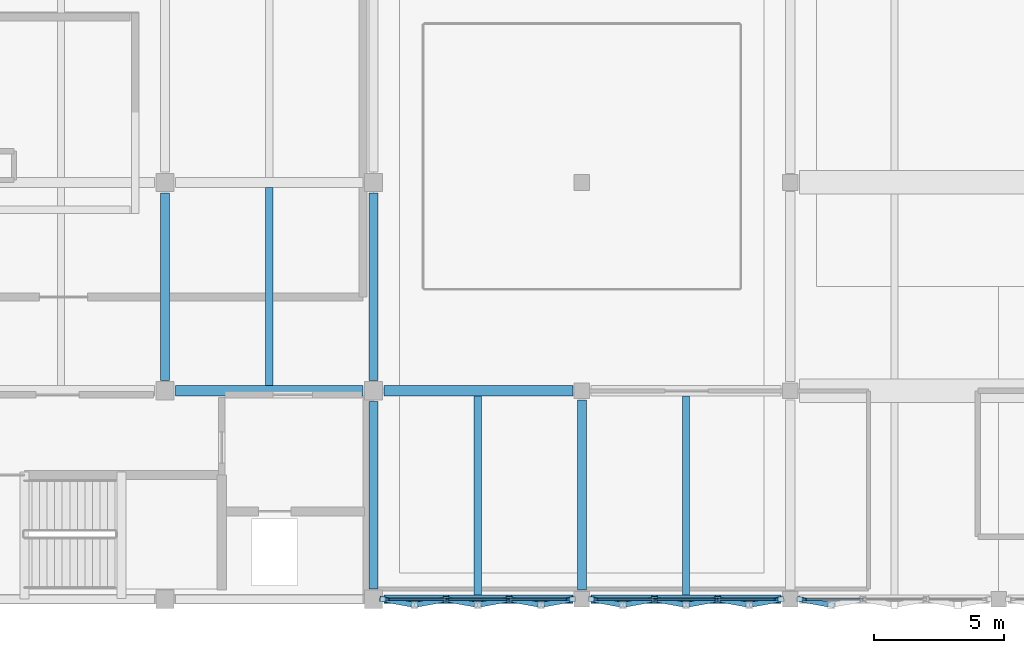
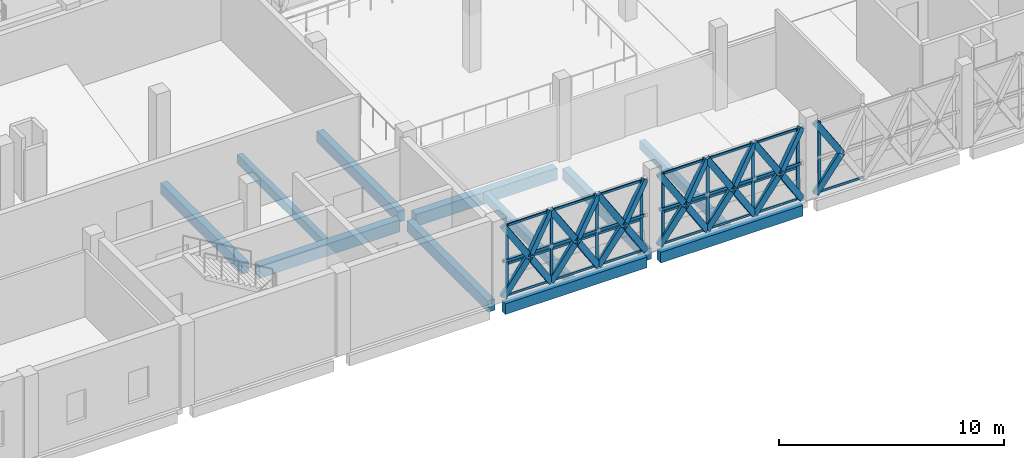
# One storey, part 10 of 43: 60 members, 11 beams, 3 elements without a shape of their own.
"""IFC4 building model written with IfcOpenShell, lengths in metres."""

from ifc_helpers import new_model, si_unit, direction, frame, origin, origin_2d, place, context, subcontext, project, spatial, rectangle, hollow_rectangle, extrude, material, layer, layer_set, material_profile, profile_set, type_object, element, aggregate, save


model = new_model("IFC4")

# Units and contexts
model_context = context("Model", 3, precision=1e-05, world=origin(), true_north=direction((0.0, 1.0)))
body_context = subcontext(model_context, "Body", "Model", "MODEL_VIEW")
ifc_project = project(units=[si_unit("LENGTHUNIT", "METRE"), si_unit("AREAUNIT", "SQUARE_METRE"), si_unit("VOLUMEUNIT", "CUBIC_METRE"), si_unit("PLANEANGLEUNIT", "RADIAN"), si_unit("MASSUNIT", "GRAM", prefix="KILO")], contexts=[model_context])

# Site, building, storey
site_placement = place(None, origin())
site = spatial("IfcSite", under=ifc_project, at=site_placement, CompositionType="ELEMENT")
building_placement = place(site_placement, origin())
building = spatial("IfcBuilding", under=site, at=building_placement, Name="Qorikala Patio Media Centre", CompositionType="ELEMENT")
storey_placement = place(building_placement, frame((0.0, 0.0, 18.89990234375)))
storey = spatial("IfcBuildingStorey", under=building, at=storey_placement, Name="L04", CompositionType="ELEMENT", Elevation=18.89990234375)

# Beams
ifc_material_1 = material(Name="Concrete C35/45", Category="concrete")
ifc_material_profile_1 = material_profile(ifc_material_1, rectangle(XDim=0.35009765625, YDim=0.60009765625, at=origin_2d()), Name="RC 350x600")
ifc_profile_set_1 = profile_set([ifc_material_profile_1], Name="Concrete C35/45")
beam_type_1 = type_object("IfcBeamType", Name="BM-G350X600", PredefinedType="BEAM", material=ifc_profile_set_1)
for number, where, z_axis, x_axis, name in (
    (1, (35.0, 11.39990234375, -0.599853515625), (0.0, 1.0, 0.0), (-1.0, 0.0, 0.0), "L04 Grid X=35 Beam 1417"),
    (2, (43.0, 3.39990234375, -0.599853515625), (0.0, 1.0, 0.0), (-1.0, 0.0, 0.0), "L04 Grid X=43 Beam 1424"),
    (3, (43.0, 11.39990234375, -0.599853515625), (0.0, 1.0, 0.0), (-1.0, 0.0, 0.0), "L04 Grid X=43 Beam 1425"),
):
    element("IfcBeam", number, at=place(storey_placement, frame(where, z_axis=z_axis, x_axis=x_axis)), inside=storey, type_object=beam_type_1, Name=name, PredefinedType="BEAM", context=body_context, shape_type="SweptSolid", body=[
        extrude(rectangle(XDim=0.35009765625, YDim=0.60009765625, at=origin_2d()), origin(), (0.0, 0.0, 1.0), 7.2001953125),
    ])
beam_1_placement = place(storey_placement, frame((51.0, 3.35009765625, -0.599853515625), z_axis=(0.0, 1.0, 0.0), x_axis=(-1.0, 0.0, 0.0)))
element("IfcBeam", 4, at=beam_1_placement, inside=storey, type_object=beam_type_1, Name="L04 Grid X=51 Beam 1428", PredefinedType="BEAM", context=body_context, shape_type="SweptSolid", body=[
    extrude(rectangle(XDim=0.35009765625, YDim=0.60009765625, at=origin_2d()), origin(), (0.0, 0.0, 1.0), 7.2998046875),
])
ifc_material_profile_2 = material_profile(ifc_material_1, rectangle(XDim=0.39990234375, YDim=0.64990234375, at=origin_2d()), Name="RC 400x650")
ifc_profile_set_2 = profile_set([ifc_material_profile_2], Name="Concrete C35/45")
beam_type_2 = type_object("IfcBeamType", Name="BM-G400X650", PredefinedType="BEAM", material=ifc_profile_set_2)
beam_2_placement = place(storey_placement, frame((35.39990234375, 11.0, -0.625), z_axis=(1.0, 0.0, 0.0), x_axis=(0.0, 1.0, 0.0)))
element("IfcBeam", 5, at=beam_2_placement, inside=storey, type_object=beam_type_2, Name="L04 Grid 11 Beam 1334", PredefinedType="BEAM", context=body_context, shape_type="SweptSolid", body=[
    extrude(rectangle(XDim=0.39990234375, YDim=0.64990234375, at=origin_2d()), origin(), (0.0, 0.0, 1.0), 7.2001953125),
])
beam_3_placement = place(storey_placement, frame((43.39990234375, 11.0, -0.625), z_axis=(1.0, 0.0, 0.0), x_axis=(0.0, 1.0, 0.0)))
element("IfcBeam", 6, at=beam_3_placement, inside=storey, type_object=beam_type_2, Name="L04 Grid 11 Beam 1335", PredefinedType="BEAM", context=body_context, shape_type="SweptSolid", body=[
    extrude(rectangle(XDim=0.39990234375, YDim=0.64990234375, at=origin_2d()), origin(), (0.0, 0.0, 1.0), 7.25),
])

# Members
ifc_material_2 = material(Name="Golden Bronze Coated Steel S355", Category="steel")
ifc_material_profile_3 = material_profile(ifc_material_2, hollow_rectangle(XDim=0.139892578125, YDim=0.139892578125, WallThickness=0.006103515625, at=origin_2d()), Name="HSS140X140X6")
ifc_profile_set_3 = profile_set([ifc_material_profile_3], Name="Golden Bronze Coated Steel S355")
member_type_1 = type_object("IfcMemberType", Name="BRACE-DIA140", PredefinedType="BRACE", material=ifc_profile_set_3)
member_1_placement = place(storey_placement, frame((58.639892578125, 3.0, 1.925048828125), z_axis=(-1.0, 0.0, 0.0), x_axis=(0.0, -1.0, 0.0)))
element("IfcMember", 7, at=member_1_placement, inside=storey, type_object=member_type_1, Name="L04 Diamond Fold Tie 136", PredefinedType="BRACE", context=body_context, shape_type="SweptSolid", body=[
    extrude(hollow_rectangle(XDim=0.139892578125, YDim=0.139892578125, WallThickness=0.006103515625, at=origin_2d()), origin(), (0.0, 0.0, 1.0), 2.426513671875),
])
member_2_placement = place(storey_placement, frame((56.21337890625, 3.0, 1.925048828125), z_axis=(-1.0, 0.0, 0.0), x_axis=(0.0, -1.0, 0.0)))
element("IfcMember", 8, at=member_2_placement, inside=storey, type_object=member_type_1, Name="L04 Diamond Fold Tie 137", PredefinedType="BRACE", context=body_context, shape_type="SweptSolid", body=[
    extrude(hollow_rectangle(XDim=0.139892578125, YDim=0.139892578125, WallThickness=0.006103515625, at=origin_2d()), origin(), (0.0, 0.0, 1.0), 2.4267578125),
])
for number, where, z_axis, x_axis, name in (
    (9, (53.78662109375, 3.0, 1.925048828125), (-1.0, 0.0, 0.0), (0.0, -1.0, 0.0), "L04 Diamond Fold Tie 138"),
    (10, (50.639892578125, 3.0, 1.925048828125), (-1.0, 0.0, 0.0), (0.0, -1.0, 0.0), "L04 Diamond Fold Tie 139"),
):
    element("IfcMember", number, at=place(storey_placement, frame(where, z_axis=z_axis, x_axis=x_axis)), inside=storey, type_object=member_type_1, Name=name, PredefinedType="BRACE", context=body_context, shape_type="SweptSolid", body=[
        extrude(hollow_rectangle(XDim=0.139892578125, YDim=0.139892578125, WallThickness=0.006103515625, at=origin_2d()), origin(), (0.0, 0.0, 1.0), 2.426513671875),
    ])
member_3_placement = place(storey_placement, frame((48.21337890625, 3.0, 1.925048828125), z_axis=(-1.0, 0.0, 0.0), x_axis=(0.0, -1.0, 0.0)))
element("IfcMember", 11, at=member_3_placement, inside=storey, type_object=member_type_1, Name="L04 Diamond Fold Tie 140", PredefinedType="BRACE", context=body_context, shape_type="SweptSolid", body=[
    extrude(hollow_rectangle(XDim=0.139892578125, YDim=0.139892578125, WallThickness=0.006103515625, at=origin_2d()), origin(), (0.0, 0.0, 1.0), 2.4267578125),
])
member_4_placement = place(storey_placement, frame((45.78662109375, 3.0, 1.925048828125), z_axis=(-1.0, 0.0, 0.0), x_axis=(0.0, -1.0, 0.0)))
element("IfcMember", 12, at=member_4_placement, inside=storey, type_object=member_type_1, Name="L04 Diamond Fold Tie 141", PredefinedType="BRACE", context=body_context, shape_type="SweptSolid", body=[
    extrude(hollow_rectangle(XDim=0.139892578125, YDim=0.139892578125, WallThickness=0.006103515625, at=origin_2d()), origin(), (0.0, 0.0, 1.0), 2.426513671875),
])

# Curtain wall, member
ifc_material_3 = material(Name="Golden Bronze Anodised Aluminium and Low-E Glass", Category="aluminium")
ifc_layer = layer(ifc_material_3, 0.159912109375)
ifc_layer_set = layer_set([ifc_layer], Name="Golden Bronze Anodised Aluminium and Low-E Glass")
curtain_wall_type = type_object("IfcCurtainWallType", Name="CW-DIA-696X385", PredefinedType="USERDEFINED", material=ifc_layer_set)
curtain_wall_1_placement = place(storey_placement, origin())
curtain_wall_1 = element("IfcCurtainWall", 13, at=curtain_wall_1_placement, inside=storey, type_object=curtain_wall_type, Name="L04 Courtyard Curtain Wall 086", ObjectType="COURTYARD CURTAIN WALL", PredefinedType="USERDEFINED")
ifc_material_4 = material(Name="Golden Bronze Anodised Aluminium", Category="aluminium")
ifc_material_profile_4 = material_profile(ifc_material_4, rectangle(XDim=0.06494140625, YDim=0.14990234375, at=origin_2d()), Name="ALU MULLION 65x150")
ifc_profile_set_4 = profile_set([ifc_material_profile_4], Name="Golden Bronze Anodised Aluminium")
member_type_2 = type_object("IfcMemberType", Name="CWM-65X150", PredefinedType="MULLION", material=ifc_profile_set_4)
member_5_placement = place(storey_placement, frame((59.552490234375, 3.0, 0.0), z_axis=(0.0, 0.0, 1.0), x_axis=(0.0, -1.0, 0.0)))
member_5 = element("IfcMember", 14, at=member_5_placement, type_object=member_type_2, Name="CWD696385 mullion 4", PredefinedType="MULLION", context=body_context, shape_type="SweptSolid", body=[
    extrude(rectangle(XDim=0.06494140625, YDim=0.14990234375, at=origin_2d()), origin(), (0.0, 0.0, 1.0), 3.85009765625),
])

# Curtain wall, members
curtain_wall_2_placement = place(storey_placement, origin())
curtain_wall_2 = element("IfcCurtainWall", 15, at=curtain_wall_2_placement, inside=storey, type_object=curtain_wall_type, Name="L04 Courtyard Curtain Wall 087", ObjectType="COURTYARD CURTAIN WALL", PredefinedType="USERDEFINED")
member_6_placement = place(storey_placement, frame((58.447509765625, 3.0, 0.0), z_axis=(0.0, 0.0, 1.0), x_axis=(0.0, -1.0, 0.0)))
member_6 = element("IfcMember", 16, at=member_6_placement, type_object=member_type_2, Name="CWD696385 mullion 1", PredefinedType="MULLION", context=body_context, shape_type="SweptSolid", body=[
    extrude(rectangle(XDim=0.06494140625, YDim=0.14990234375, at=origin_2d()), origin(), (0.0, 0.0, 1.0), 3.85009765625),
])
member_7_placement = place(storey_placement, frame((56.159912109375, 3.0, 0.0), z_axis=(0.0, 0.0, 1.0), x_axis=(0.0, -1.0, 0.0)))
member_7 = element("IfcMember", 17, at=member_7_placement, type_object=member_type_2, Name="CWD696385 mullion 2", PredefinedType="MULLION", context=body_context, shape_type="SweptSolid", body=[
    extrude(rectangle(XDim=0.06494140625, YDim=0.14990234375, at=origin_2d()), origin(), (0.0, 0.0, 1.0), 3.85009765625),
])
member_8_placement = place(storey_placement, frame((53.840087890625, 3.0, 0.0), z_axis=(0.0, 0.0, 1.0), x_axis=(0.0, -1.0, 0.0)))
member_8 = element("IfcMember", 18, at=member_8_placement, type_object=member_type_2, Name="CWD696385 mullion 3", PredefinedType="MULLION", context=body_context, shape_type="SweptSolid", body=[
    extrude(rectangle(XDim=0.06494140625, YDim=0.14990234375, at=origin_2d()), origin(), (0.0, 0.0, 1.0), 3.85009765625),
])
member_9_placement = place(storey_placement, frame((51.552490234375, 3.0, 0.0), z_axis=(0.0, 0.0, 1.0), x_axis=(0.0, -1.0, 0.0)))
member_9 = element("IfcMember", 19, at=member_9_placement, type_object=member_type_2, Name="CWD696385 mullion 4", PredefinedType="MULLION", context=body_context, shape_type="SweptSolid", body=[
    extrude(rectangle(XDim=0.06494140625, YDim=0.14990234375, at=origin_2d()), origin(), (0.0, 0.0, 1.0), 3.85009765625),
])

curtain_wall_3_placement = place(storey_placement, origin())
curtain_wall_3 = element("IfcCurtainWall", 20, at=curtain_wall_3_placement, inside=storey, type_object=curtain_wall_type, Name="L04 Courtyard Curtain Wall 088", ObjectType="COURTYARD CURTAIN WALL", PredefinedType="USERDEFINED")
member_10_placement = place(storey_placement, frame((50.447509765625, 3.0, 0.0), z_axis=(0.0, 0.0, 1.0), x_axis=(0.0, -1.0, 0.0)))
member_10 = element("IfcMember", 21, at=member_10_placement, type_object=member_type_2, Name="CWD696385 mullion 1", PredefinedType="MULLION", context=body_context, shape_type="SweptSolid", body=[
    extrude(rectangle(XDim=0.06494140625, YDim=0.14990234375, at=origin_2d()), origin(), (0.0, 0.0, 1.0), 3.85009765625),
])
member_11_placement = place(storey_placement, frame((48.159912109375, 3.0, 0.0), z_axis=(0.0, 0.0, 1.0), x_axis=(0.0, -1.0, 0.0)))
member_11 = element("IfcMember", 22, at=member_11_placement, type_object=member_type_2, Name="CWD696385 mullion 2", PredefinedType="MULLION", context=body_context, shape_type="SweptSolid", body=[
    extrude(rectangle(XDim=0.06494140625, YDim=0.14990234375, at=origin_2d()), origin(), (0.0, 0.0, 1.0), 3.85009765625),
])
member_12_placement = place(storey_placement, frame((45.840087890625, 3.0, 0.0), z_axis=(0.0, 0.0, 1.0), x_axis=(0.0, -1.0, 0.0)))
member_12 = element("IfcMember", 23, at=member_12_placement, type_object=member_type_2, Name="CWD696385 mullion 3", PredefinedType="MULLION", context=body_context, shape_type="SweptSolid", body=[
    extrude(rectangle(XDim=0.06494140625, YDim=0.14990234375, at=origin_2d()), origin(), (0.0, 0.0, 1.0), 3.85009765625),
])
member_13_placement = place(storey_placement, frame((43.552490234375, 3.0, 0.0), z_axis=(0.0, 0.0, 1.0), x_axis=(0.0, -1.0, 0.0)))
member_13 = element("IfcMember", 24, at=member_13_placement, type_object=member_type_2, Name="CWD696385 mullion 4", PredefinedType="MULLION", context=body_context, shape_type="SweptSolid", body=[
    extrude(rectangle(XDim=0.06494140625, YDim=0.14990234375, at=origin_2d()), origin(), (0.0, 0.0, 1.0), 3.85009765625),
])

# Member
ifc_material_profile_5 = material_profile(ifc_material_4, rectangle(XDim=0.06494140625, YDim=0.1201171875, at=origin_2d()), Name="ALU TRANSOM 65x120")
ifc_profile_set_5 = profile_set([ifc_material_profile_5], Name="Golden Bronze Anodised Aluminium")
member_type_3 = type_object("IfcMemberType", Name="CWT-65X120", PredefinedType="USERDEFINED", material=ifc_profile_set_5)
member_14_placement = place(storey_placement, frame((61.8076171875, 3.0, 0.03271484375), z_axis=(-1.0, 0.0, 0.0), x_axis=(0.0, -1.0, 0.0)))
member_14 = element("IfcMember", 25, at=member_14_placement, type_object=member_type_3, Name="CWD696385 transom 3.1", ObjectType="TRANSOM", PredefinedType="USERDEFINED", context=body_context, shape_type="SweptSolid", body=[
    extrude(rectangle(XDim=0.06494140625, YDim=0.1201171875, at=origin_2d()), origin(), (0.0, 0.0, 1.0), 2.22265625),
])

aggregate(curtain_wall_1, [member_5, member_14])

member_15_placement = place(storey_placement, frame((58.4150390625, 3.0, 0.03271484375), z_axis=(-1.0, 0.0, 0.0), x_axis=(0.0, -1.0, 0.0)))
member_15 = element("IfcMember", 26, at=member_15_placement, type_object=member_type_3, Name="CWD696385 transom 1.1", ObjectType="TRANSOM", PredefinedType="USERDEFINED", context=body_context, shape_type="SweptSolid", body=[
    extrude(rectangle(XDim=0.06494140625, YDim=0.1201171875, at=origin_2d()), origin(), (0.0, 0.0, 1.0), 2.22265625),
])

member_16_placement = place(storey_placement, frame((58.4150390625, 3.0, 1.732666015625), z_axis=(-1.0, 0.0, 0.0), x_axis=(0.0, -1.0, 0.0)))
member_16 = element("IfcMember", 27, at=member_16_placement, type_object=member_type_3, Name="CWD696385 transom 1.2", ObjectType="TRANSOM", PredefinedType="USERDEFINED", context=body_context, shape_type="SweptSolid", body=[
    extrude(rectangle(XDim=0.06494140625, YDim=0.1201171875, at=origin_2d()), origin(), (0.0, 0.0, 1.0), 2.22265625),
])

member_17_placement = place(storey_placement, frame((58.4150390625, 3.0, 3.817626953125), z_axis=(-1.0, 0.0, 0.0), x_axis=(0.0, -1.0, 0.0)))
member_17 = element("IfcMember", 28, at=member_17_placement, type_object=member_type_3, Name="CWD696385 transom 1.3", ObjectType="TRANSOM", PredefinedType="USERDEFINED", context=body_context, shape_type="SweptSolid", body=[
    extrude(rectangle(XDim=0.06494140625, YDim=0.1201171875, at=origin_2d()), origin(), (0.0, 0.0, 1.0), 2.22265625),
])

member_18_placement = place(storey_placement, frame((56.12744140625, 3.0, 0.03271484375), z_axis=(-1.0, 0.0, 0.0), x_axis=(0.0, -1.0, 0.0)))
member_18 = element("IfcMember", 29, at=member_18_placement, type_object=member_type_3, Name="CWD696385 transom 2.1", ObjectType="TRANSOM", PredefinedType="USERDEFINED", context=body_context, shape_type="SweptSolid", body=[
    extrude(rectangle(XDim=0.06494140625, YDim=0.1201171875, at=origin_2d()), origin(), (0.0, 0.0, 1.0), 2.2548828125),
])

member_19_placement = place(storey_placement, frame((56.12744140625, 3.0, 1.732666015625), z_axis=(-1.0, 0.0, 0.0), x_axis=(0.0, -1.0, 0.0)))
member_19 = element("IfcMember", 30, at=member_19_placement, type_object=member_type_3, Name="CWD696385 transom 2.2", ObjectType="TRANSOM", PredefinedType="USERDEFINED", context=body_context, shape_type="SweptSolid", body=[
    extrude(rectangle(XDim=0.06494140625, YDim=0.1201171875, at=origin_2d()), origin(), (0.0, 0.0, 1.0), 2.2548828125),
])

member_20_placement = place(storey_placement, frame((56.12744140625, 3.0, 3.817626953125), z_axis=(-1.0, 0.0, 0.0), x_axis=(0.0, -1.0, 0.0)))
member_20 = element("IfcMember", 31, at=member_20_placement, type_object=member_type_3, Name="CWD696385 transom 2.3", ObjectType="TRANSOM", PredefinedType="USERDEFINED", context=body_context, shape_type="SweptSolid", body=[
    extrude(rectangle(XDim=0.06494140625, YDim=0.1201171875, at=origin_2d()), origin(), (0.0, 0.0, 1.0), 2.2548828125),
])

member_21_placement = place(storey_placement, frame((53.8076171875, 3.0, 0.03271484375), z_axis=(-1.0, 0.0, 0.0), x_axis=(0.0, -1.0, 0.0)))
member_21 = element("IfcMember", 32, at=member_21_placement, type_object=member_type_3, Name="CWD696385 transom 3.1", ObjectType="TRANSOM", PredefinedType="USERDEFINED", context=body_context, shape_type="SweptSolid", body=[
    extrude(rectangle(XDim=0.06494140625, YDim=0.1201171875, at=origin_2d()), origin(), (0.0, 0.0, 1.0), 2.22265625),
])

member_22_placement = place(storey_placement, frame((53.8076171875, 3.0, 1.732666015625), z_axis=(-1.0, 0.0, 0.0), x_axis=(0.0, -1.0, 0.0)))
member_22 = element("IfcMember", 33, at=member_22_placement, type_object=member_type_3, Name="CWD696385 transom 3.2", ObjectType="TRANSOM", PredefinedType="USERDEFINED", context=body_context, shape_type="SweptSolid", body=[
    extrude(rectangle(XDim=0.06494140625, YDim=0.1201171875, at=origin_2d()), origin(), (0.0, 0.0, 1.0), 2.22265625),
])

member_23_placement = place(storey_placement, frame((53.8076171875, 3.0, 3.817626953125), z_axis=(-1.0, 0.0, 0.0), x_axis=(0.0, -1.0, 0.0)))
member_23 = element("IfcMember", 34, at=member_23_placement, type_object=member_type_3, Name="CWD696385 transom 3.3", ObjectType="TRANSOM", PredefinedType="USERDEFINED", context=body_context, shape_type="SweptSolid", body=[
    extrude(rectangle(XDim=0.06494140625, YDim=0.1201171875, at=origin_2d()), origin(), (0.0, 0.0, 1.0), 2.22265625),
])

aggregate(curtain_wall_2, [member_6, member_7, member_8, member_9, member_15, member_16, member_17, member_18, member_19, member_20, member_21, member_22, member_23])

member_24_placement = place(storey_placement, frame((50.4150390625, 3.0, 0.03271484375), z_axis=(-1.0, 0.0, 0.0), x_axis=(0.0, -1.0, 0.0)))
member_24 = element("IfcMember", 35, at=member_24_placement, type_object=member_type_3, Name="CWD696385 transom 1.1", ObjectType="TRANSOM", PredefinedType="USERDEFINED", context=body_context, shape_type="SweptSolid", body=[
    extrude(rectangle(XDim=0.06494140625, YDim=0.1201171875, at=origin_2d()), origin(), (0.0, 0.0, 1.0), 2.22265625),
])

member_25_placement = place(storey_placement, frame((50.4150390625, 3.0, 1.732666015625), z_axis=(-1.0, 0.0, 0.0), x_axis=(0.0, -1.0, 0.0)))
member_25 = element("IfcMember", 36, at=member_25_placement, type_object=member_type_3, Name="CWD696385 transom 1.2", ObjectType="TRANSOM", PredefinedType="USERDEFINED", context=body_context, shape_type="SweptSolid", body=[
    extrude(rectangle(XDim=0.06494140625, YDim=0.1201171875, at=origin_2d()), origin(), (0.0, 0.0, 1.0), 2.22265625),
])

member_26_placement = place(storey_placement, frame((50.4150390625, 3.0, 3.817626953125), z_axis=(-1.0, 0.0, 0.0), x_axis=(0.0, -1.0, 0.0)))
member_26 = element("IfcMember", 37, at=member_26_placement, type_object=member_type_3, Name="CWD696385 transom 1.3", ObjectType="TRANSOM", PredefinedType="USERDEFINED", context=body_context, shape_type="SweptSolid", body=[
    extrude(rectangle(XDim=0.06494140625, YDim=0.1201171875, at=origin_2d()), origin(), (0.0, 0.0, 1.0), 2.22265625),
])

member_27_placement = place(storey_placement, frame((48.12744140625, 3.0, 0.03271484375), z_axis=(-1.0, 0.0, 0.0), x_axis=(0.0, -1.0, 0.0)))
member_27 = element("IfcMember", 38, at=member_27_placement, type_object=member_type_3, Name="CWD696385 transom 2.1", ObjectType="TRANSOM", PredefinedType="USERDEFINED", context=body_context, shape_type="SweptSolid", body=[
    extrude(rectangle(XDim=0.06494140625, YDim=0.1201171875, at=origin_2d()), origin(), (0.0, 0.0, 1.0), 2.2548828125),
])

member_28_placement = place(storey_placement, frame((48.12744140625, 3.0, 1.732666015625), z_axis=(-1.0, 0.0, 0.0), x_axis=(0.0, -1.0, 0.0)))
member_28 = element("IfcMember", 39, at=member_28_placement, type_object=member_type_3, Name="CWD696385 transom 2.2", ObjectType="TRANSOM", PredefinedType="USERDEFINED", context=body_context, shape_type="SweptSolid", body=[
    extrude(rectangle(XDim=0.06494140625, YDim=0.1201171875, at=origin_2d()), origin(), (0.0, 0.0, 1.0), 2.2548828125),
])

member_29_placement = place(storey_placement, frame((48.12744140625, 3.0, 3.817626953125), z_axis=(-1.0, 0.0, 0.0), x_axis=(0.0, -1.0, 0.0)))
member_29 = element("IfcMember", 40, at=member_29_placement, type_object=member_type_3, Name="CWD696385 transom 2.3", ObjectType="TRANSOM", PredefinedType="USERDEFINED", context=body_context, shape_type="SweptSolid", body=[
    extrude(rectangle(XDim=0.06494140625, YDim=0.1201171875, at=origin_2d()), origin(), (0.0, 0.0, 1.0), 2.2548828125),
])

member_30_placement = place(storey_placement, frame((45.8076171875, 3.0, 0.03271484375), z_axis=(-1.0, 0.0, 0.0), x_axis=(0.0, -1.0, 0.0)))
member_30 = element("IfcMember", 41, at=member_30_placement, type_object=member_type_3, Name="CWD696385 transom 3.1", ObjectType="TRANSOM", PredefinedType="USERDEFINED", context=body_context, shape_type="SweptSolid", body=[
    extrude(rectangle(XDim=0.06494140625, YDim=0.1201171875, at=origin_2d()), origin(), (0.0, 0.0, 1.0), 2.22265625),
])

member_31_placement = place(storey_placement, frame((45.8076171875, 3.0, 1.732666015625), z_axis=(-1.0, 0.0, 0.0), x_axis=(0.0, -1.0, 0.0)))
member_31 = element("IfcMember", 42, at=member_31_placement, type_object=member_type_3, Name="CWD696385 transom 3.2", ObjectType="TRANSOM", PredefinedType="USERDEFINED", context=body_context, shape_type="SweptSolid", body=[
    extrude(rectangle(XDim=0.06494140625, YDim=0.1201171875, at=origin_2d()), origin(), (0.0, 0.0, 1.0), 2.22265625),
])

member_32_placement = place(storey_placement, frame((45.8076171875, 3.0, 3.817626953125), z_axis=(-1.0, 0.0, 0.0), x_axis=(0.0, -1.0, 0.0)))
member_32 = element("IfcMember", 43, at=member_32_placement, type_object=member_type_3, Name="CWD696385 transom 3.3", ObjectType="TRANSOM", PredefinedType="USERDEFINED", context=body_context, shape_type="SweptSolid", body=[
    extrude(rectangle(XDim=0.06494140625, YDim=0.1201171875, at=origin_2d()), origin(), (0.0, 0.0, 1.0), 2.22265625),
])

aggregate(curtain_wall_3, [member_10, member_11, member_12, member_13, member_24, member_25, member_26, member_27, member_28, member_29, member_30, member_31, member_32])

# Beams
ifc_material_profile_6 = material_profile(ifc_material_1, rectangle(XDim=0.280029296875, YDim=0.47998046875, at=origin_2d()), Name="RC 280x480")
ifc_profile_set_6 = profile_set([ifc_material_profile_6], Name="Concrete C35/45")
beam_type_3 = type_object("IfcBeamType", Name="JS-280X480", PredefinedType="JOIST", material=ifc_profile_set_6)
beam_4_placement = place(storey_placement, frame((39.0, 11.199951171875, -0.539794921875), z_axis=(0.0, 1.0, 0.0), x_axis=(-1.0, 0.0, 0.0)))
element("IfcBeam", 44, at=beam_4_placement, inside=storey, type_object=beam_type_3, Name="L04 Secondary Joist 1469", PredefinedType="JOIST", context=body_context, shape_type="SweptSolid", body=[
    extrude(rectangle(XDim=0.280029296875, YDim=0.47998046875, at=origin_2d()), origin(), (0.0, 0.0, 1.0), 7.60009765625),
])
for number, where, z_axis, x_axis, name in (
    (45, (47.0, 3.159912109375, -0.539794921875), (0.0, 1.0, 0.0), (-1.0, 0.0, 0.0), "L04 Secondary Joist 1471"),
    (46, (55.0, 3.159912109375, -0.539794921875), (0.0, 1.0, 0.0), (-1.0, 0.0, 0.0), "L04 Secondary Joist 1472"),
):
    element("IfcBeam", number, at=place(storey_placement, frame(where, z_axis=z_axis, x_axis=x_axis)), inside=storey, type_object=beam_type_3, Name=name, PredefinedType="JOIST", context=body_context, shape_type="SweptSolid", body=[
        extrude(rectangle(XDim=0.280029296875, YDim=0.47998046875, at=origin_2d()), origin(), (0.0, 0.0, 1.0), 7.64013671875),
    ])
ifc_material_profile_7 = material_profile(ifc_material_1, rectangle(XDim=0.320068359375, YDim=0.580078125, at=origin_2d()), Name="RC 320x580")
ifc_profile_set_7 = profile_set([ifc_material_profile_7], Name="Concrete C35/45")
beam_type_4 = type_object("IfcBeamType", Name="SP-320X580", PredefinedType="SPANDREL", material=ifc_profile_set_7)
beam_5_placement = place(storey_placement, frame((43.39990234375, 3.0, -0.58984375), z_axis=(1.0, 0.0, 0.0), x_axis=(0.0, 1.0, 0.0)))
element("IfcBeam", 47, at=beam_5_placement, inside=storey, type_object=beam_type_4, Name="L04 Grid 3 Beam 1323", PredefinedType="SPANDREL", context=body_context, shape_type="SweptSolid", body=[
    extrude(rectangle(XDim=0.320068359375, YDim=0.580078125, at=origin_2d()), origin(), (0.0, 0.0, 1.0), 7.25),
])
beam_6_placement = place(storey_placement, frame((51.35009765625, 3.0, -0.58984375), z_axis=(1.0, 0.0, 0.0), x_axis=(0.0, 1.0, 0.0)))
element("IfcBeam", 48, at=beam_6_placement, inside=storey, type_object=beam_type_4, Name="L04 Grid 3 Beam 1324", PredefinedType="SPANDREL", context=body_context, shape_type="SweptSolid", body=[
    extrude(rectangle(XDim=0.320068359375, YDim=0.580078125, at=origin_2d()), origin(), (0.0, 0.0, 1.0), 7.2998046875),
])

# Members
ifc_material_profile_8 = material_profile(ifc_material_2, hollow_rectangle(XDim=0.199951171875, YDim=0.300048828125, WallThickness=0.011962890625, at=origin_2d()), Name="HSS300X200X12")
ifc_profile_set_8 = profile_set([ifc_material_profile_8], Name="Golden Bronze Coated Steel S355")
member_type_4 = type_object("IfcMemberType", Name="STRUT-DIA300", PredefinedType="STRUT", material=ifc_profile_set_8)
for number, where, z_axis, x_axis, name in (
    (49, (59.360107421875, 3.0, 0.0), (0.530691378365, -0.095906793675, 0.842121456713), (0.17783968734, 0.984059472596, 0.0), "L04 Diamond Foyer Fold Strut 135-DL2"),
    (50, (60.5732421875, 2.78076171875, 1.925048828125), (-0.530691378365, 0.095906793675, 0.842121456713), (-0.17783968734, -0.984059472596, 0.0), "L04 Diamond Foyer Fold Strut 135-DU2"),
    (51, (58.639892578125, 3.0, 0.0), (-0.530691378365, -0.095906793675, 0.842121456713), (0.17783968734, -0.984059472596, 0.0), "L04 Diamond Foyer Fold Strut 136-DL1"),
):
    element("IfcMember", number, at=place(storey_placement, frame(where, z_axis=z_axis, x_axis=x_axis)), inside=storey, type_object=member_type_4, Name=name, PredefinedType="STRUT", context=body_context, shape_type="SweptSolid", body=[
        extrude(hollow_rectangle(XDim=0.199951171875, YDim=0.300048828125, WallThickness=0.011962890625, at=origin_2d()), origin(), (0.0, 0.0, 1.0), 2.285888671875),
    ])
member_33_placement = place(storey_placement, frame((56.21337890625, 3.0, 0.0), z_axis=(0.530768093717, -0.095901357778, 0.842073726148), x_axis=(0.177805036072, 0.98406573416, 0.0)))
element("IfcMember", 52, at=member_33_placement, inside=storey, type_object=member_type_4, Name="L04 Diamond Foyer Fold Strut 136-DL2", PredefinedType="STRUT", context=body_context, shape_type="SweptSolid", body=[
    extrude(hollow_rectangle(XDim=0.199951171875, YDim=0.300048828125, WallThickness=0.011962890625, at=origin_2d()), origin(), (0.0, 0.0, 1.0), 2.2861328125),
])
member_34_placement = place(storey_placement, frame((57.4267578125, 2.78076171875, 1.925048828125), z_axis=(0.530691378365, 0.095906793675, 0.842121456713), x_axis=(-0.17783968734, 0.984059472596, 0.0)))
element("IfcMember", 53, at=member_34_placement, inside=storey, type_object=member_type_4, Name="L04 Diamond Foyer Fold Strut 136-DU1", PredefinedType="STRUT", context=body_context, shape_type="SweptSolid", body=[
    extrude(hollow_rectangle(XDim=0.199951171875, YDim=0.300048828125, WallThickness=0.011962890625, at=origin_2d()), origin(), (0.0, 0.0, 1.0), 2.285888671875),
])
for number, where, z_axis, x_axis, name in (
    (54, (57.4267578125, 2.78076171875, 1.925048828125), (-0.530768093717, 0.095901357778, 0.842073726148), (-0.177805036072, -0.98406573416, 0.0), "L04 Diamond Foyer Fold Strut 136-DU2"),
    (55, (56.21337890625, 3.0, 0.0), (-0.530768093717, -0.095901357778, 0.842073726148), (0.177805036072, -0.98406573416, 0.0), "L04 Diamond Foyer Fold Strut 137-DL1"),
    (56, (53.78662109375, 3.0, 0.0), (0.530768093717, -0.095901357778, 0.842073726148), (0.177805036072, 0.98406573416, 0.0), "L04 Diamond Foyer Fold Strut 137-DL2"),
    (57, (55.0, 2.78076171875, 1.925048828125), (0.530768093717, 0.095901357778, 0.842073726148), (-0.177805036072, 0.98406573416, 0.0), "L04 Diamond Foyer Fold Strut 137-DU1"),
    (58, (55.0, 2.78076171875, 1.925048828125), (-0.530768093717, 0.095901357778, 0.842073726148), (-0.177805036072, -0.98406573416, 0.0), "L04 Diamond Foyer Fold Strut 137-DU2"),
    (59, (53.78662109375, 3.0, 0.0), (-0.530768093717, -0.095901357778, 0.842073726148), (0.177805036072, -0.98406573416, 0.0), "L04 Diamond Foyer Fold Strut 138-DL1"),
):
    element("IfcMember", number, at=place(storey_placement, frame(where, z_axis=z_axis, x_axis=x_axis)), inside=storey, type_object=member_type_4, Name=name, PredefinedType="STRUT", context=body_context, shape_type="SweptSolid", body=[
        extrude(hollow_rectangle(XDim=0.199951171875, YDim=0.300048828125, WallThickness=0.011962890625, at=origin_2d()), origin(), (0.0, 0.0, 1.0), 2.2861328125),
    ])
member_35_placement = place(storey_placement, frame((51.360107421875, 3.0, 0.0), z_axis=(0.530691378365, -0.095906793675, 0.842121456713), x_axis=(0.17783968734, 0.984059472596, 0.0)))
element("IfcMember", 60, at=member_35_placement, inside=storey, type_object=member_type_4, Name="L04 Diamond Foyer Fold Strut 138-DL2", PredefinedType="STRUT", context=body_context, shape_type="SweptSolid", body=[
    extrude(hollow_rectangle(XDim=0.199951171875, YDim=0.300048828125, WallThickness=0.011962890625, at=origin_2d()), origin(), (0.0, 0.0, 1.0), 2.285888671875),
])
member_36_placement = place(storey_placement, frame((52.5732421875, 2.78076171875, 1.925048828125), z_axis=(0.530768093717, 0.095901357778, 0.842073726148), x_axis=(-0.177805036072, 0.98406573416, 0.0)))
element("IfcMember", 61, at=member_36_placement, inside=storey, type_object=member_type_4, Name="L04 Diamond Foyer Fold Strut 138-DU1", PredefinedType="STRUT", context=body_context, shape_type="SweptSolid", body=[
    extrude(hollow_rectangle(XDim=0.199951171875, YDim=0.300048828125, WallThickness=0.011962890625, at=origin_2d()), origin(), (0.0, 0.0, 1.0), 2.2861328125),
])
for number, where, z_axis, x_axis, name in (
    (62, (52.5732421875, 2.78076171875, 1.925048828125), (-0.530691378365, 0.095906793675, 0.842121456713), (-0.17783968734, -0.984059472596, 0.0), "L04 Diamond Foyer Fold Strut 138-DU2"),
    (63, (50.639892578125, 3.0, 0.0), (-0.530691378365, -0.095906793675, 0.842121456713), (0.17783968734, -0.984059472596, 0.0), "L04 Diamond Foyer Fold Strut 139-DL1"),
):
    element("IfcMember", number, at=place(storey_placement, frame(where, z_axis=z_axis, x_axis=x_axis)), inside=storey, type_object=member_type_4, Name=name, PredefinedType="STRUT", context=body_context, shape_type="SweptSolid", body=[
        extrude(hollow_rectangle(XDim=0.199951171875, YDim=0.300048828125, WallThickness=0.011962890625, at=origin_2d()), origin(), (0.0, 0.0, 1.0), 2.285888671875),
    ])
member_37_placement = place(storey_placement, frame((48.21337890625, 3.0, 0.0), z_axis=(0.530768093717, -0.095901357778, 0.842073726148), x_axis=(0.177805036072, 0.98406573416, 0.0)))
element("IfcMember", 64, at=member_37_placement, inside=storey, type_object=member_type_4, Name="L04 Diamond Foyer Fold Strut 139-DL2", PredefinedType="STRUT", context=body_context, shape_type="SweptSolid", body=[
    extrude(hollow_rectangle(XDim=0.199951171875, YDim=0.300048828125, WallThickness=0.011962890625, at=origin_2d()), origin(), (0.0, 0.0, 1.0), 2.2861328125),
])
member_38_placement = place(storey_placement, frame((49.4267578125, 2.78076171875, 1.925048828125), z_axis=(0.530691378365, 0.095906793675, 0.842121456713), x_axis=(-0.17783968734, 0.984059472596, 0.0)))
element("IfcMember", 65, at=member_38_placement, inside=storey, type_object=member_type_4, Name="L04 Diamond Foyer Fold Strut 139-DU1", PredefinedType="STRUT", context=body_context, shape_type="SweptSolid", body=[
    extrude(hollow_rectangle(XDim=0.199951171875, YDim=0.300048828125, WallThickness=0.011962890625, at=origin_2d()), origin(), (0.0, 0.0, 1.0), 2.285888671875),
])
for number, where, z_axis, x_axis, name in (
    (66, (49.4267578125, 2.78076171875, 1.925048828125), (-0.530768093717, 0.095901357778, 0.842073726148), (-0.177805036072, -0.98406573416, 0.0), "L04 Diamond Foyer Fold Strut 139-DU2"),
    (67, (48.21337890625, 3.0, 0.0), (-0.530768093717, -0.095901357778, 0.842073726148), (0.177805036072, -0.98406573416, 0.0), "L04 Diamond Foyer Fold Strut 140-DL1"),
    (68, (45.78662109375, 3.0, 0.0), (0.530768093717, -0.095901357778, 0.842073726148), (0.177805036072, 0.98406573416, 0.0), "L04 Diamond Foyer Fold Strut 140-DL2"),
    (69, (47.0, 2.78076171875, 1.925048828125), (0.530768093717, 0.095901357778, 0.842073726148), (-0.177805036072, 0.98406573416, 0.0), "L04 Diamond Foyer Fold Strut 140-DU1"),
    (70, (47.0, 2.78076171875, 1.925048828125), (-0.530768093717, 0.095901357778, 0.842073726148), (-0.177805036072, -0.98406573416, 0.0), "L04 Diamond Foyer Fold Strut 140-DU2"),
    (71, (45.78662109375, 3.0, 0.0), (-0.530768093717, -0.095901357778, 0.842073726148), (0.177805036072, -0.98406573416, 0.0), "L04 Diamond Foyer Fold Strut 141-DL1"),
):
    element("IfcMember", number, at=place(storey_placement, frame(where, z_axis=z_axis, x_axis=x_axis)), inside=storey, type_object=member_type_4, Name=name, PredefinedType="STRUT", context=body_context, shape_type="SweptSolid", body=[
        extrude(hollow_rectangle(XDim=0.199951171875, YDim=0.300048828125, WallThickness=0.011962890625, at=origin_2d()), origin(), (0.0, 0.0, 1.0), 2.2861328125),
    ])
member_39_placement = place(storey_placement, frame((43.360107421875, 3.0, 0.0), z_axis=(0.530691378365, -0.095906793675, 0.842121456713), x_axis=(0.17783968734, 0.984059472596, 0.0)))
element("IfcMember", 72, at=member_39_placement, inside=storey, type_object=member_type_4, Name="L04 Diamond Foyer Fold Strut 141-DL2", PredefinedType="STRUT", context=body_context, shape_type="SweptSolid", body=[
    extrude(hollow_rectangle(XDim=0.199951171875, YDim=0.300048828125, WallThickness=0.011962890625, at=origin_2d()), origin(), (0.0, 0.0, 1.0), 2.285888671875),
])
member_40_placement = place(storey_placement, frame((44.5732421875, 2.78076171875, 1.925048828125), z_axis=(0.530768093717, 0.095901357778, 0.842073726148), x_axis=(-0.177805036072, 0.98406573416, 0.0)))
element("IfcMember", 73, at=member_40_placement, inside=storey, type_object=member_type_4, Name="L04 Diamond Foyer Fold Strut 141-DU1", PredefinedType="STRUT", context=body_context, shape_type="SweptSolid", body=[
    extrude(hollow_rectangle(XDim=0.199951171875, YDim=0.300048828125, WallThickness=0.011962890625, at=origin_2d()), origin(), (0.0, 0.0, 1.0), 2.2861328125),
])
member_41_placement = place(storey_placement, frame((44.5732421875, 2.78076171875, 1.925048828125), z_axis=(-0.530691378365, 0.095906793675, 0.842121456713), x_axis=(-0.17783968734, -0.984059472596, 0.0)))
element("IfcMember", 74, at=member_41_placement, inside=storey, type_object=member_type_4, Name="L04 Diamond Foyer Fold Strut 141-DU2", PredefinedType="STRUT", context=body_context, shape_type="SweptSolid", body=[
    extrude(hollow_rectangle(XDim=0.199951171875, YDim=0.300048828125, WallThickness=0.011962890625, at=origin_2d()), origin(), (0.0, 0.0, 1.0), 2.285888671875),
])

save(model, "model.ifc")
